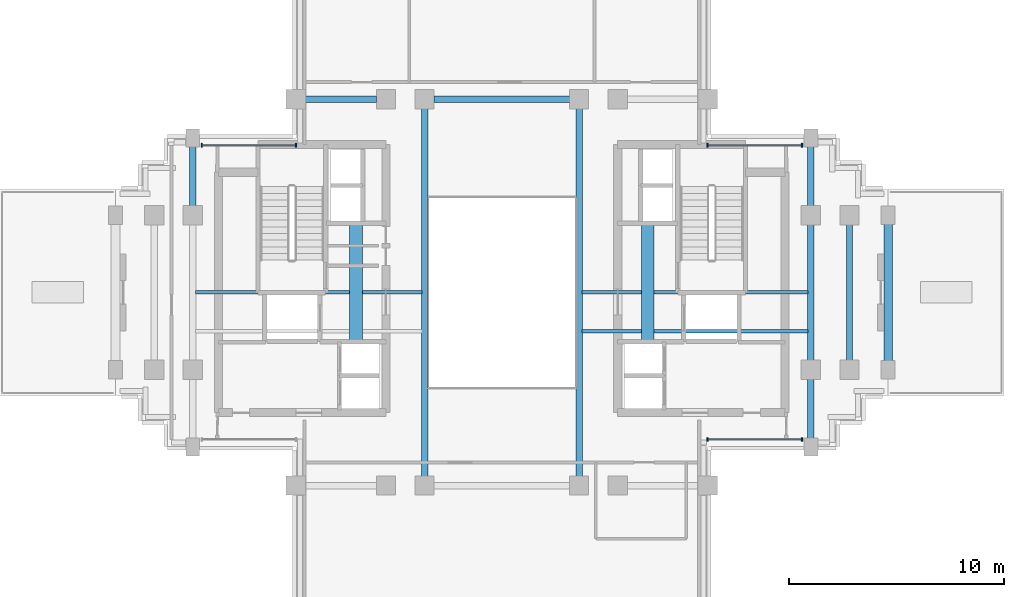
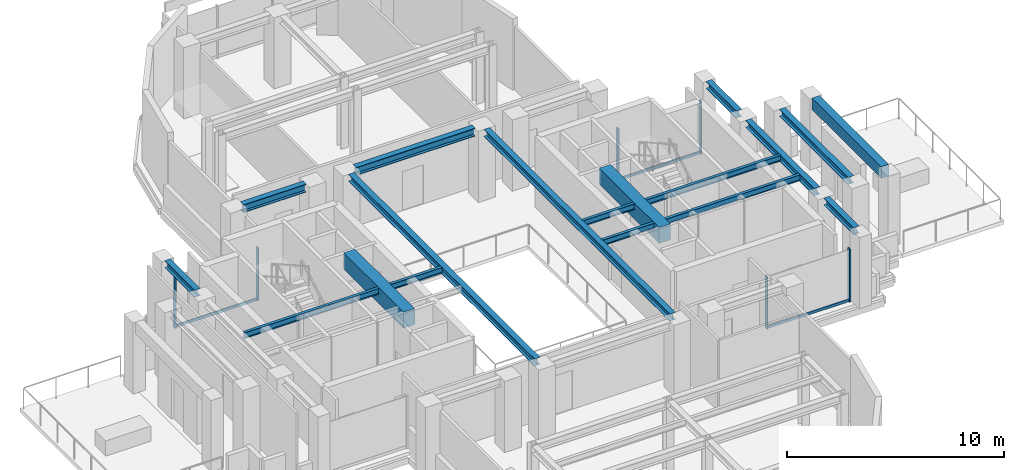
# One storey, part 3 of 12: 15 beams, 9 members, 3 elements without a shape of their own.
"""IFC4 building model written with IfcOpenShell, lengths in metres."""

from ifc_helpers import new_model, si_unit, direction, frame, origin, origin_2d, place, context, subcontext, project, spatial, rectangle, i_section, extrude, source, transform, mapped, material, material_profile, profile_set, type_object, element, aggregate, save


model = new_model("IFC4")

# Units and contexts
model_context = context("Model", 3, precision=1e-05, world=origin(), true_north=direction((0.0, 1.0)))
body_context = subcontext(model_context, "Body", "Model", "MODEL_VIEW")
ifc_project = project(units=[si_unit("LENGTHUNIT", "METRE"), si_unit("AREAUNIT", "SQUARE_METRE"), si_unit("VOLUMEUNIT", "CUBIC_METRE"), si_unit("PLANEANGLEUNIT", "RADIAN"), si_unit("MASSUNIT", "GRAM", prefix="KILO")], contexts=[model_context])

# Site, building, storey
site_placement = place(None, origin())
site = spatial("IfcSite", under=ifc_project, at=site_placement, CompositionType="ELEMENT")
building_placement = place(site_placement, origin())
building = spatial("IfcBuilding", under=site, at=building_placement, Name="Keilestroom Media Tower", CompositionType="ELEMENT")
storey_placement = place(building_placement, frame((0.0, 0.0, 156.199951171875)))
storey = spatial("IfcBuildingStorey", under=building, at=storey_placement, Name="L42", CompositionType="ELEMENT", Elevation=156.199951171875)

# Beams
ifc_material_1 = material(Name="Concrete C70/85", Category="concrete")
ifc_material_profile_1 = material_profile(ifc_material_1, rectangle(XDim=0.60009765625, YDim=0.89990234375, at=origin_2d()), Name="RC 600x900")
ifc_profile_set_1 = profile_set([ifc_material_profile_1], Name="Concrete C70/85")
beam_type_1 = type_object("IfcBeamType", Name="Core-Coupling-Lintel-Beam-RC-600x900", PredefinedType="LINTEL", material=ifc_profile_set_1)
shared_shape_1 = source(origin(), body_context, "Body", "SweptSolid", [
    extrude(rectangle(XDim=0.60009765625, YDim=0.89990234375, at=origin_2d()), origin(), (0.0, 0.0, 1.0), 5.52001953125),
])
for number, where, z_axis, x_axis, name in (
    (1, (-6.800048828125, -2.300048828125, 3.550048828125), (0.0, 1.0, 0.0), (-1.0, 0.0, 0.0), "L42 Beam CLB-1 CLB-L42-W"),
    (2, (6.800048828125, -2.300048828125, 3.550048828125), (0.0, 1.0, 0.0), (-1.0, 0.0, 0.0), "L42 Beam CLB-1 CLB-L42-E"),
):
    element("IfcBeam", number, at=place(storey_placement, frame(where, z_axis=z_axis, x_axis=x_axis)), inside=storey, type_object=beam_type_1, Name=name, PredefinedType="LINTEL", context=body_context, shape_type="MappedRepresentation", body=[
        mapped(shared_shape_1, transform((0.0, 0.0, 0.0), x_axis=(1.0, 0.0, 0.0), y_axis=(0.0, 1.0, 0.0), z_axis=(0.0, 0.0, 1.0), scale=1.0)),
    ])
ifc_material_2 = material(Name="Steel S355", Category="steel")
ifc_material_profile_2 = material_profile(ifc_material_2, i_section(OverallWidth=0.300048828125, OverallDepth=0.449951171875, WebThickness=0.011962890625, FlangeThickness=0.02587890625, at=origin_2d()), Name="HEB 450")
ifc_profile_set_2 = profile_set([ifc_material_profile_2], Name="Steel S355")
beam_type_2 = type_object("IfcBeamType", Name="Primary-Structural-Girder-HEB-450", PredefinedType="BEAM", material=ifc_profile_set_2)
shared_shape_2 = source(origin(), body_context, "Body", "SweptSolid", [
    extrude(i_section(OverallWidth=0.300048828125, OverallDepth=0.449951171875, WebThickness=0.011962890625, FlangeThickness=0.02587890625, at=origin_2d()), origin(), (0.0, 0.0, 1.0), 3.33984375),
])
beam_1_placement = place(storey_placement, frame((-9.169921875, 9.0, 3.775146484375), z_axis=(1.0, 0.0, 0.0), x_axis=(0.0, 1.0, 0.0)))
element("IfcBeam", 3, at=beam_1_placement, inside=storey, type_object=beam_type_2, Name="L42 Beam BG-7 BM-L42-EW-020", PredefinedType="BEAM", context=body_context, shape_type="MappedRepresentation", body=[
    mapped(shared_shape_2, transform((0.0, 0.0, 0.0), x_axis=(1.0, 0.0, 0.0), y_axis=(0.0, 1.0, 0.0), z_axis=(0.0, 0.0, 1.0), scale=1.0)),
])
shared_shape_3 = source(origin(), body_context, "Body", "SweptSolid", [
    extrude(i_section(OverallWidth=0.300048828125, OverallDepth=0.449951171875, WebThickness=0.011962890625, FlangeThickness=0.02587890625, at=origin_2d()), origin(), (0.0, 0.0, 1.0), 6.33984375),
])
beam_2_placement = place(storey_placement, frame((-3.169921875, 9.0, 3.775146484375), z_axis=(1.0, 0.0, 0.0), x_axis=(0.0, 1.0, 0.0)))
element("IfcBeam", 4, at=beam_2_placement, inside=storey, type_object=beam_type_2, Name="L42 Beam BG-7 BM-L42-EW-022", PredefinedType="BEAM", context=body_context, shape_type="MappedRepresentation", body=[
    mapped(shared_shape_3, transform((0.0, 0.0, 0.0), x_axis=(1.0, 0.0, 0.0), y_axis=(0.0, 1.0, 0.0), z_axis=(0.0, 0.0, 1.0), scale=1.0)),
])
ifc_material_3 = material(Name="Precast concrete C40/50", Category="concrete")
ifc_material_profile_3 = material_profile(ifc_material_3, rectangle(XDim=0.39990234375, YDim=0.64990234375, at=origin_2d()), Name="PC 400x650")
ifc_profile_set_3 = profile_set([ifc_material_profile_3], Name="Precast concrete C40/50")
beam_type_3 = type_object("IfcBeamType", Name="Perimeter-Spandrel-Beam-PC-400x650", PredefinedType="SPANDREL", material=ifc_profile_set_3)
shared_shape_4 = source(origin(), body_context, "Body", "SweptSolid", [
    extrude(rectangle(XDim=0.39990234375, YDim=0.64990234375, at=origin_2d()), origin(), (0.0, 0.0, 1.0), 6.39013671875),
])
beam_3_placement = place(storey_placement, frame((18.0, -3.195068359375, 3.675048828125), z_axis=(0.0, 1.0, 0.0), x_axis=(-1.0, 0.0, 0.0)))
element("IfcBeam", 5, at=beam_3_placement, inside=storey, type_object=beam_type_3, Name="L42 Beam SPB-2 BM-L42-NS-054", PredefinedType="SPANDREL", context=body_context, shape_type="MappedRepresentation", body=[
    mapped(shared_shape_4, transform((0.0, 0.0, 0.0), x_axis=(1.0, 0.0, 0.0), y_axis=(0.0, 1.0, 0.0), z_axis=(0.0, 0.0, 1.0), scale=1.0)),
])
ifc_material_profile_4 = material_profile(ifc_material_2, i_section(OverallWidth=0.300048828125, OverallDepth=0.39990234375, WebThickness=0.011474609375, FlangeThickness=0.02392578125, at=origin_2d()), Name="HEB 400")
ifc_profile_set_4 = profile_set([ifc_material_profile_4], Name="Steel S355")
beam_type_4 = type_object("IfcBeamType", Name="Primary-Structural-Girder-HEB-400", PredefinedType="BEAM", material=ifc_profile_set_4)
shared_shape_5 = source(origin(), body_context, "Body", "SweptSolid", [
    extrude(i_section(OverallWidth=0.300048828125, OverallDepth=0.39990234375, WebThickness=0.011474609375, FlangeThickness=0.02392578125, at=origin_2d()), origin(), (0.0, 0.0, 1.0), 6.33984375),
])
for number, where, z_axis, x_axis, name in (
    (6, (14.39990234375, -3.169921875, 3.800048828125), (0.0, 1.0, 0.0), (-1.0, 0.0, 0.0), "L42 Beam BG-8 BM-L42-NS-051"),
    (7, (16.199951171875, -3.169921875, 3.800048828125), (0.0, 1.0, 0.0), (-1.0, 0.0, 0.0), "L42 Beam BG-8 BM-L42-NS-053"),
):
    element("IfcBeam", number, at=place(storey_placement, frame(where, z_axis=z_axis, x_axis=x_axis)), inside=storey, type_object=beam_type_4, Name=name, PredefinedType="BEAM", context=body_context, shape_type="MappedRepresentation", body=[
        mapped(shared_shape_5, transform((0.0, 0.0, 0.0), x_axis=(1.0, 0.0, 0.0), y_axis=(0.0, 1.0, 0.0), z_axis=(0.0, 0.0, 1.0), scale=1.0)),
    ])
shared_shape_6 = source(origin(), body_context, "Body", "SweptSolid", [
    extrude(i_section(OverallWidth=0.300048828125, OverallDepth=0.39990234375, WebThickness=0.011474609375, FlangeThickness=0.02392578125, at=origin_2d()), origin(), (0.0, 0.0, 1.0), 2.764892578125),
])
for number, where, z_axis, x_axis, name in (
    (8, (-14.39990234375, 4.030029296875, 3.800048828125), (0.0, 1.0, 0.0), (-1.0, 0.0, 0.0), "L42 Beam BG-8 BM-L42-NS-035"),
    (9, (14.39990234375, -6.794921875, 3.800048828125), (0.0, 1.0, 0.0), (-1.0, 0.0, 0.0), "L42 Beam BG-8 BM-L42-NS-050"),
    (10, (14.39990234375, 4.030029296875, 3.800048828125), (0.0, 1.0, 0.0), (-1.0, 0.0, 0.0), "L42 Beam BG-8 BM-L42-NS-052"),
):
    element("IfcBeam", number, at=place(storey_placement, frame(where, z_axis=z_axis, x_axis=x_axis)), inside=storey, type_object=beam_type_4, Name=name, PredefinedType="BEAM", context=body_context, shape_type="MappedRepresentation", body=[
        mapped(shared_shape_6, transform((0.0, 0.0, 0.0), x_axis=(1.0, 0.0, 0.0), y_axis=(0.0, 1.0, 0.0), z_axis=(0.0, 0.0, 1.0), scale=1.0)),
    ])
shared_shape_7 = source(origin(), body_context, "Body", "SweptSolid", [
    extrude(i_section(OverallWidth=0.300048828125, OverallDepth=0.39990234375, WebThickness=0.011474609375, FlangeThickness=0.02392578125, at=origin_2d()), origin(), (0.0, 0.0, 1.0), 17.14013671875),
])
for number, where, z_axis, x_axis, name in (
    (11, (-3.60009765625, -8.570068359375, 3.800048828125), (0.0, 1.0, 0.0), (-1.0, 0.0, 0.0), "L42 Beam BG-8 BM-L42-NS-040"),
    (12, (3.60009765625, -8.570068359375, 3.800048828125), (0.0, 1.0, 0.0), (-1.0, 0.0, 0.0), "L42 Beam BG-8 BM-L42-NS-045"),
):
    element("IfcBeam", number, at=place(storey_placement, frame(where, z_axis=z_axis, x_axis=x_axis)), inside=storey, type_object=beam_type_4, Name=name, PredefinedType="BEAM", context=body_context, shape_type="MappedRepresentation", body=[
        mapped(shared_shape_7, transform((0.0, 0.0, 0.0), x_axis=(1.0, 0.0, 0.0), y_axis=(0.0, 1.0, 0.0), z_axis=(0.0, 0.0, 1.0), scale=1.0)),
    ])
ifc_material_profile_5 = material_profile(ifc_material_2, i_section(OverallWidth=0.159912109375, OverallDepth=0.330078125, WebThickness=0.007568359375, FlangeThickness=0.011474609375, at=origin_2d()), Name="IPE 330")
ifc_profile_set_5 = profile_set([ifc_material_profile_5], Name="Steel S355")
beam_type_5 = type_object("IfcBeamType", Name="Secondary-Floor-Joist-IPE-330", PredefinedType="JOIST", material=ifc_profile_set_5)
shared_shape_8 = source(origin(), body_context, "Body", "SweptSolid", [
    extrude(i_section(OverallWidth=0.159912109375, OverallDepth=0.330078125, WebThickness=0.007568359375, FlangeThickness=0.011474609375, at=origin_2d()), origin(), (0.0, 0.0, 1.0), 10.5400390625),
])
for number, where, z_axis, x_axis, name in (
    (13, (3.72998046875, -1.800048828125, 3.8349609375), (1.0, 0.0, 0.0), (0.0, 1.0, 0.0), "L42 Beam BJ-6 JST-L42-059"),
    (14, (-14.27001953125, 0.0, 3.8349609375), (1.0, 0.0, 0.0), (0.0, 1.0, 0.0), "L42 Beam BJ-6 JST-L42-060"),
    (15, (3.72998046875, 0.0, 3.8349609375), (1.0, 0.0, 0.0), (0.0, 1.0, 0.0), "L42 Beam BJ-6 JST-L42-062"),
):
    element("IfcBeam", number, at=place(storey_placement, frame(where, z_axis=z_axis, x_axis=x_axis)), inside=storey, type_object=beam_type_5, Name=name, PredefinedType="JOIST", context=body_context, shape_type="MappedRepresentation", body=[
        mapped(shared_shape_8, transform((0.0, 0.0, 0.0), x_axis=(1.0, 0.0, 0.0), y_axis=(0.0, 1.0, 0.0), z_axis=(0.0, 0.0, 1.0), scale=1.0)),
    ])

# Curtain wall, members
ifc_material_4 = material(Name="Anodised Aluminium Alloy", Category="aluminium")
curtain_wall_type = type_object("IfcCurtainWallType", Name="Unitised-Curtain-Wall-CW-3", PredefinedType="NOTDEFINED", material=ifc_material_4)
curtain_wall_1_placement = place(storey_placement, origin())
curtain_wall_1 = element("IfcCurtainWall", 16, at=curtain_wall_1_placement, inside=storey, type_object=curtain_wall_type, Name="L42 Curtain Wall CW-3 CW-L42-NW-1", PredefinedType="NOTDEFINED")
ifc_material_profile_6 = material_profile(ifc_material_4, rectangle(XDim=0.06494140625, YDim=0.179931640625, at=origin_2d()), Name="ALU MULLION 65x180")
ifc_profile_set_6 = profile_set([ifc_material_profile_6], Name="Anodised Aluminium Alloy")
member_type_1 = type_object("IfcMemberType", Name="Curtain-Wall-Mullion-CW-3", PredefinedType="MULLION", material=ifc_profile_set_6)
shared_shape_9 = source(origin(), body_context, "Body", "SweptSolid", [
    extrude(rectangle(XDim=0.06494140625, YDim=0.179931640625, at=origin_2d()), origin(), (0.0, 0.0, 1.0), 2.97998046875),
])
member_1_placement = place(storey_placement, frame((-13.982421875, 6.85009765625, 0.0), z_axis=(0.0, 0.0, 1.0), x_axis=(1.0, 0.0, 0.0)))
member_1 = element("IfcMember", 17, at=member_1_placement, type_object=member_type_1, Name="CW-3 Mullion 00", PredefinedType="MULLION", context=body_context, shape_type="MappedRepresentation", body=[
    mapped(shared_shape_9, transform((0.0, 0.0, 0.0), x_axis=(1.0, 0.0, 0.0), y_axis=(0.0, 1.0, 0.0), z_axis=(0.0, 0.0, 1.0), scale=1.0)),
])
member_2_placement = place(storey_placement, frame((-9.58251953125, 6.85009765625, 0.0), z_axis=(0.0, 0.0, 1.0), x_axis=(1.0, 0.0, 0.0)))
member_2 = element("IfcMember", 18, at=member_2_placement, type_object=member_type_1, Name="CW-3 Mullion 01", PredefinedType="MULLION", context=body_context, shape_type="MappedRepresentation", body=[
    mapped(shared_shape_9, transform((0.0, 0.0, 0.0), x_axis=(1.0, 0.0, 0.0), y_axis=(0.0, 1.0, 0.0), z_axis=(0.0, 0.0, 1.0), scale=1.0)),
])

curtain_wall_2_placement = place(storey_placement, origin())
curtain_wall_2 = element("IfcCurtainWall", 19, at=curtain_wall_2_placement, inside=storey, type_object=curtain_wall_type, Name="L42 Curtain Wall CW-3 CW-L42-NE-1", PredefinedType="NOTDEFINED")
member_3_placement = place(storey_placement, frame((9.58251953125, 6.85009765625, 0.0), z_axis=(0.0, 0.0, 1.0), x_axis=(1.0, 0.0, 0.0)))
member_3 = element("IfcMember", 20, at=member_3_placement, type_object=member_type_1, Name="CW-3 Mullion 00", PredefinedType="MULLION", context=body_context, shape_type="MappedRepresentation", body=[
    mapped(shared_shape_9, transform((0.0, 0.0, 0.0), x_axis=(1.0, 0.0, 0.0), y_axis=(0.0, 1.0, 0.0), z_axis=(0.0, 0.0, 1.0), scale=1.0)),
])
member_4_placement = place(storey_placement, frame((13.982421875, 6.85009765625, 0.0), z_axis=(0.0, 0.0, 1.0), x_axis=(1.0, 0.0, 0.0)))
member_4 = element("IfcMember", 21, at=member_4_placement, type_object=member_type_1, Name="CW-3 Mullion 01", PredefinedType="MULLION", context=body_context, shape_type="MappedRepresentation", body=[
    mapped(shared_shape_9, transform((0.0, 0.0, 0.0), x_axis=(1.0, 0.0, 0.0), y_axis=(0.0, 1.0, 0.0), z_axis=(0.0, 0.0, 1.0), scale=1.0)),
])

curtain_wall_3_placement = place(storey_placement, origin())
curtain_wall_3 = element("IfcCurtainWall", 22, at=curtain_wall_3_placement, inside=storey, type_object=curtain_wall_type, Name="L42 Curtain Wall CW-3 CW-L42-SE-1", PredefinedType="NOTDEFINED")
member_5_placement = place(storey_placement, frame((9.58251953125, -6.85009765625, 0.0), z_axis=(0.0, 0.0, 1.0), x_axis=(1.0, 0.0, 0.0)))
member_5 = element("IfcMember", 23, at=member_5_placement, type_object=member_type_1, Name="CW-3 Mullion 00", PredefinedType="MULLION", context=body_context, shape_type="MappedRepresentation", body=[
    mapped(shared_shape_9, transform((0.0, 0.0, 0.0), x_axis=(1.0, 0.0, 0.0), y_axis=(0.0, 1.0, 0.0), z_axis=(0.0, 0.0, 1.0), scale=1.0)),
])
member_6_placement = place(storey_placement, frame((13.982421875, -6.85009765625, 0.0), z_axis=(0.0, 0.0, 1.0), x_axis=(1.0, 0.0, 0.0)))
member_6 = element("IfcMember", 24, at=member_6_placement, type_object=member_type_1, Name="CW-3 Mullion 01", PredefinedType="MULLION", context=body_context, shape_type="MappedRepresentation", body=[
    mapped(shared_shape_9, transform((0.0, 0.0, 0.0), x_axis=(1.0, 0.0, 0.0), y_axis=(0.0, 1.0, 0.0), z_axis=(0.0, 0.0, 1.0), scale=1.0)),
])

# Member
ifc_material_profile_7 = material_profile(ifc_material_4, rectangle(XDim=0.06494140625, YDim=0.14990234375, at=origin_2d()), Name="ALU TRANSOM 65x150")
ifc_profile_set_7 = profile_set([ifc_material_profile_7], Name="Anodised Aluminium Alloy")
member_type_2 = type_object("IfcMemberType", Name="Curtain-Wall-Transom-CW-3", PredefinedType="USERDEFINED", material=ifc_profile_set_7)
shared_shape_10 = source(origin(), body_context, "Body", "SweptSolid", [
    extrude(rectangle(XDim=0.06494140625, YDim=0.14990234375, at=origin_2d()), origin(), (0.0, 0.0, 1.0), 4.3388671875),
])
member_7_placement = place(storey_placement, frame((-13.951904296875, 6.85009765625, 0.074951171875), z_axis=(1.0, 0.0, 0.0), x_axis=(0.0, 1.0, 0.0)))
member_7 = element("IfcMember", 25, at=member_7_placement, type_object=member_type_2, Name="CW-3 Transom 00.1", ObjectType="TRANSOM", PredefinedType="USERDEFINED", context=body_context, shape_type="MappedRepresentation", body=[
    mapped(shared_shape_10, transform((0.0, 0.0, 0.0), x_axis=(1.0, 0.0, 0.0), y_axis=(0.0, 1.0, 0.0), z_axis=(0.0, 0.0, 1.0), scale=1.0)),
])

aggregate(curtain_wall_1, [member_1, member_2, member_7])

member_8_placement = place(storey_placement, frame((9.613037109375, 6.85009765625, 0.074951171875), z_axis=(1.0, 0.0, 0.0), x_axis=(0.0, 1.0, 0.0)))
member_8 = element("IfcMember", 26, at=member_8_placement, type_object=member_type_2, Name="CW-3 Transom 00.1", ObjectType="TRANSOM", PredefinedType="USERDEFINED", context=body_context, shape_type="MappedRepresentation", body=[
    mapped(shared_shape_10, transform((0.0, 0.0, 0.0), x_axis=(1.0, 0.0, 0.0), y_axis=(0.0, 1.0, 0.0), z_axis=(0.0, 0.0, 1.0), scale=1.0)),
])

aggregate(curtain_wall_2, [member_3, member_4, member_8])

member_9_placement = place(storey_placement, frame((9.613037109375, -6.85009765625, 0.074951171875), z_axis=(1.0, 0.0, 0.0), x_axis=(0.0, 1.0, 0.0)))
member_9 = element("IfcMember", 27, at=member_9_placement, type_object=member_type_2, Name="CW-3 Transom 00.1", ObjectType="TRANSOM", PredefinedType="USERDEFINED", context=body_context, shape_type="MappedRepresentation", body=[
    mapped(shared_shape_10, transform((0.0, 0.0, 0.0), x_axis=(1.0, 0.0, 0.0), y_axis=(0.0, 1.0, 0.0), z_axis=(0.0, 0.0, 1.0), scale=1.0)),
])

aggregate(curtain_wall_3, [member_5, member_6, member_9])

save(model, "model.ifc")
